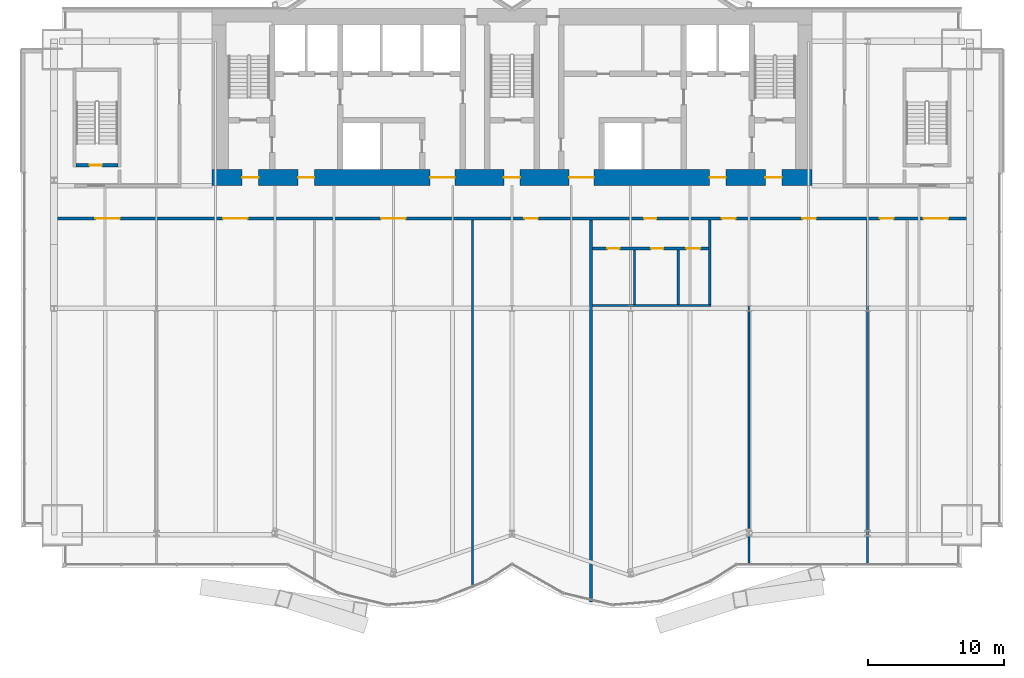
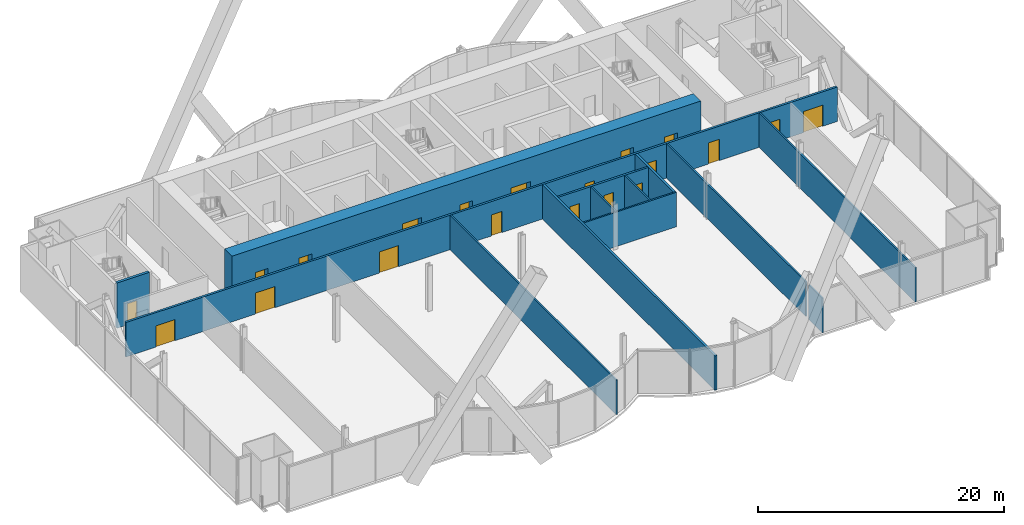
# One storey, part 17 of 23: 20 doors, 13 walls, 20 openings.
"""IFC4 building model written with IfcOpenShell, lengths in metres."""

from ifc_helpers import new_model, si_unit, direction, frame, frame_2d, origin, place, context, subcontext, project, spatial, rectangle, extrude, material, layer, layer_set, type_object, element, fill, save


model = new_model("IFC4")

# Units and contexts
model_context = context("Model", 3, precision=1e-05, world=origin(), true_north=direction((0.0, 1.0)))
body_context = subcontext(model_context, "Body", "Model", "MODEL_VIEW")
ifc_project = project(units=[si_unit("LENGTHUNIT", "METRE"), si_unit("AREAUNIT", "SQUARE_METRE"), si_unit("VOLUMEUNIT", "CUBIC_METRE"), si_unit("PLANEANGLEUNIT", "RADIAN"), si_unit("MASSUNIT", "GRAM", prefix="KILO")], contexts=[model_context])

# Site, building, storey
site_placement = place(None, origin())
site = spatial("IfcSite", under=ifc_project, at=site_placement, CompositionType="ELEMENT")
building_placement = place(site_placement, origin())
building = spatial("IfcBuilding", under=site, at=building_placement, Name="Bicima Exchange Tower", CompositionType="ELEMENT")
storey_placement = place(building_placement, frame((0.0, 0.0, 53.0)))
storey = spatial("IfcBuildingStorey", under=building, at=storey_placement, Name="L10", CompositionType="ELEMENT", Elevation=53.0)

# Wall, openings, doors
ifc_material_1 = material(Name="Gypsum board partition")
ifc_layer_1 = layer(ifc_material_1, 0.199951171875)
ifc_layer_set_1 = layer_set([ifc_layer_1], Name="Gypsum board partition")
wall_type_1 = type_object("IfcWallType", Name="Fire-rated gypsum partition 200 EI60", PredefinedType="PARTITIONING", material=ifc_layer_set_1)
wall_1_placement = place(storey_placement, frame((5.89990234375, -17.60009765625, 0.0), z_axis=(0.0, 0.0, 1.0), x_axis=(1.0, 0.0, 0.0)))
wall_1 = element("IfcWall", 1, at=wall_1_placement, inside=storey, type_object=wall_type_1, Name="partition wall 2", PredefinedType="PARTITIONING", context=body_context, shape_type="SweptSolid", body=[
    extrude(rectangle(XDim=8.5, YDim=0.199951171875, at=frame_2d((4.25, 0.0))), origin(), (0.0, 0.0, 1.0), 3.418212890625),
])
opening_1_placement = place(wall_1_placement, frame((1.10009765625, 0.0, 0.0)))
opening_1 = element("IfcOpeningElement", 2, at=opening_1_placement, cuts=wall_1, Name="Opening L10-012", PredefinedType="OPENING", context=body_context, shape_type="SweptSolid", body=[
    extrude(rectangle(XDim=0.89990234375, YDim=2.10009765625, at=frame_2d((0.449951171875, 1.050048828125))), frame((0.0, 0.11181640625, 0.0), z_axis=(0.0, -1.0, 0.0), x_axis=(1.0, 0.0, 0.0)), (0.0, 0.0, 1.0), 0.223876953125),
])
opening_2_placement = place(wall_1_placement, frame((4.300048828125, 0.0, 0.0)))
opening_2 = element("IfcOpeningElement", 3, at=opening_2_placement, cuts=wall_1, Name="Opening L10-013", PredefinedType="OPENING", context=body_context, shape_type="SweptSolid", body=[
    extrude(rectangle(XDim=0.89990234375, YDim=2.10009765625, at=frame_2d((0.449951171875, 1.050048828125))), frame((0.0, 0.11181640625, 0.0), z_axis=(0.0, -1.0, 0.0), x_axis=(1.0, 0.0, 0.0)), (0.0, 0.0, 1.0), 0.223876953125),
])
opening_3_placement = place(wall_1_placement, frame((6.89990234375, 0.0, 0.0)))
opening_3 = element("IfcOpeningElement", 4, at=opening_3_placement, cuts=wall_1, Name="Opening L10-014", PredefinedType="OPENING", context=body_context, shape_type="SweptSolid", body=[
    extrude(rectangle(XDim=1.0, YDim=2.10009765625, at=frame_2d((0.5, 1.050048828125))), frame((0.0, 0.11181640625, 0.0), z_axis=(0.0, -1.0, 0.0), x_axis=(1.0, 0.0, 0.0)), (0.0, 0.0, 1.0), 0.223876953125),
])
ifc_material_2 = material(Name="Steel fire door leaf", Category="steel")
door_type_1 = type_object("IfcDoorType", Name="Door 1000 swing FD30S", OperationType="SINGLE_SWING_LEFT", PredefinedType="DOOR", material=ifc_material_2)
door_1_placement = place(opening_3_placement, frame((1.0, 0.0, 0.0), z_axis=(0.0, 0.0, 1.0), x_axis=(-1.0, 0.0, 0.0)))
door_1 = element("IfcDoor", 5, at=door_1_placement, inside=storey, type_object=door_type_1, Name="Door", OperationType="SINGLE_SWING_RIGHT", OverallHeight=2.10009765625, OverallWidth=1.0, PredefinedType="DOOR", context=body_context, shape_type="SweptSolid", body=[
    extrude(rectangle(XDim=1.0, YDim=2.10009765625, at=frame_2d((0.5, 1.050048828125))), frame((0.0, 0.02490234375, 0.0), z_axis=(0.0, -1.0, 0.0), x_axis=(1.0, 0.0, 0.0)), (0.0, 0.0, 1.0), 0.050048828125),
])
fill(opening_3, door_1)
door_type_2 = type_object("IfcDoorType", Name="Door 900 swing FD30S", OperationType="SINGLE_SWING_LEFT", PredefinedType="DOOR", material=ifc_material_2)
door_2_placement = place(opening_1_placement, frame((0.89990234375, 0.0, 0.0), z_axis=(0.0, 0.0, 1.0), x_axis=(-1.0, 0.0, 0.0)))
door_2 = element("IfcDoor", 6, at=door_2_placement, inside=storey, type_object=door_type_2, Name="Door", OperationType="SINGLE_SWING_RIGHT", OverallHeight=2.10009765625, OverallWidth=0.89990234375, PredefinedType="DOOR", context=body_context, shape_type="SweptSolid", body=[
    extrude(rectangle(XDim=0.89990234375, YDim=2.10009765625, at=frame_2d((0.449951171875, 1.050048828125))), frame((0.0, 0.02490234375, 0.0), z_axis=(0.0, -1.0, 0.0), x_axis=(1.0, 0.0, 0.0)), (0.0, 0.0, 1.0), 0.050048828125),
])
fill(opening_1, door_2)
door_3_placement = place(opening_2_placement, frame((0.89990234375, 0.0, 0.0), z_axis=(0.0, 0.0, 1.0), x_axis=(-1.0, 0.0, 0.0)))
door_3 = element("IfcDoor", 7, at=door_3_placement, inside=storey, type_object=door_type_2, Name="Door", OperationType="SINGLE_SWING_LEFT", OverallHeight=2.10009765625, OverallWidth=0.89990234375, PredefinedType="DOOR", context=body_context, shape_type="SweptSolid", body=[
    extrude(rectangle(XDim=0.89990234375, YDim=2.10009765625, at=frame_2d((0.449951171875, 1.050048828125))), frame((0.0, 0.02490234375, 0.0), z_axis=(0.0, -1.0, 0.0), x_axis=(1.0, 0.0, 0.0)), (0.0, 0.0, 1.0), 0.050048828125),
])
fill(opening_2, door_3)

wall_2_placement = place(storey_placement, frame((-33.3701171875, -15.39990234375, 0.0), z_axis=(0.0, 0.0, 1.0), x_axis=(1.0, 0.0, 0.0)))
wall_2 = element("IfcWall", 8, at=wall_2_placement, inside=storey, type_object=wall_type_1, Name="partition wall 3", PredefinedType="PARTITIONING", context=body_context, shape_type="SweptSolid", body=[
    extrude(rectangle(XDim=66.740234375, YDim=0.199951171875, at=frame_2d((33.3701171875, 0.0))), origin(), (0.0, 0.0, 1.0), 3.418212890625),
])
opening_4_placement = place(wall_2_placement, frame((2.800048828125, 0.0, 0.0)))
opening_4 = element("IfcOpeningElement", 9, at=opening_4_placement, cuts=wall_2, Name="Opening L10-007", PredefinedType="OPENING", context=body_context, shape_type="SweptSolid", body=[
    extrude(rectangle(XDim=1.800048828125, YDim=2.10009765625, at=frame_2d((0.89990234375, 1.050048828125))), frame((0.0, 0.11181640625, 0.0), z_axis=(0.0, -1.0, 0.0), x_axis=(1.0, 0.0, 0.0)), (0.0, 0.0, 1.0), 0.223876953125),
])
opening_5_placement = place(wall_2_placement, frame((12.169921875, 0.0, 0.0)))
opening_5 = element("IfcOpeningElement", 10, at=opening_5_placement, cuts=wall_2, Name="Opening L10-008", PredefinedType="OPENING", context=body_context, shape_type="SweptSolid", body=[
    extrude(rectangle(XDim=1.800048828125, YDim=2.10009765625, at=frame_2d((0.89990234375, 1.050048828125))), frame((0.0, 0.11181640625, 0.0), z_axis=(0.0, -1.0, 0.0), x_axis=(1.0, 0.0, 0.0)), (0.0, 0.0, 1.0), 0.223876953125),
])
opening_6_placement = place(wall_2_placement, frame((23.77001953125, 0.0, 0.0)))
opening_6 = element("IfcOpeningElement", 11, at=opening_6_placement, cuts=wall_2, Name="Opening L10-009", PredefinedType="OPENING", context=body_context, shape_type="SweptSolid", body=[
    extrude(rectangle(XDim=1.800048828125, YDim=2.10009765625, at=frame_2d((0.89990234375, 1.050048828125))), frame((0.0, 0.11181640625, 0.0), z_axis=(0.0, -1.0, 0.0), x_axis=(1.0, 0.0, 0.0)), (0.0, 0.0, 1.0), 0.223876953125),
])
opening_7_placement = place(wall_2_placement, frame((34.27001953125, 0.0, 0.0)))
opening_7 = element("IfcOpeningElement", 12, at=opening_7_placement, cuts=wall_2, Name="Opening L10-010", PredefinedType="OPENING", context=body_context, shape_type="SweptSolid", body=[
    extrude(rectangle(XDim=1.0, YDim=2.10009765625, at=frame_2d((0.5, 1.050048828125))), frame((0.0, 0.11181640625, 0.0), z_axis=(0.0, -1.0, 0.0), x_axis=(1.0, 0.0, 0.0)), (0.0, 0.0, 1.0), 0.223876953125),
])
opening_8_placement = place(wall_2_placement, frame((43.070068359375, 0.0, 0.0)))
opening_8 = element("IfcOpeningElement", 13, at=opening_8_placement, cuts=wall_2, Name="Opening L10-011", PredefinedType="OPENING", context=body_context, shape_type="SweptSolid", body=[
    extrude(rectangle(XDim=0.89990234375, YDim=2.10009765625, at=frame_2d((0.449951171875, 1.050048828125))), frame((0.0, 0.11181640625, 0.0), z_axis=(0.0, -1.0, 0.0), x_axis=(1.0, 0.0, 0.0)), (0.0, 0.0, 1.0), 0.223876953125),
])
opening_9_placement = place(wall_2_placement, frame((48.77001953125, 0.0, 0.0)))
opening_9 = element("IfcOpeningElement", 14, at=opening_9_placement, cuts=wall_2, Name="Opening L10-015", PredefinedType="OPENING", context=body_context, shape_type="SweptSolid", body=[
    extrude(rectangle(XDim=1.0, YDim=2.10009765625, at=frame_2d((0.5, 1.050048828125))), frame((0.0, 0.11181640625, 0.0), z_axis=(0.0, -1.0, 0.0), x_axis=(1.0, 0.0, 0.0)), (0.0, 0.0, 1.0), 0.223876953125),
])
opening_10_placement = place(wall_2_placement, frame((54.669921875, 0.0, 0.0)))
opening_10 = element("IfcOpeningElement", 15, at=opening_10_placement, cuts=wall_2, Name="Opening L10-016", PredefinedType="OPENING", context=body_context, shape_type="SweptSolid", body=[
    extrude(rectangle(XDim=1.0, YDim=2.10009765625, at=frame_2d((0.5, 1.050048828125))), frame((0.0, 0.11181640625, 0.0), z_axis=(0.0, -1.0, 0.0), x_axis=(1.0, 0.0, 0.0)), (0.0, 0.0, 1.0), 0.223876953125),
])
opening_11_placement = place(wall_2_placement, frame((60.3701171875, 0.0, 0.0)))
opening_11 = element("IfcOpeningElement", 16, at=opening_11_placement, cuts=wall_2, Name="Opening L10-017", PredefinedType="OPENING", context=body_context, shape_type="SweptSolid", body=[
    extrude(rectangle(XDim=1.0, YDim=2.10009765625, at=frame_2d((0.5, 1.050048828125))), frame((0.0, 0.11181640625, 0.0), z_axis=(0.0, -1.0, 0.0), x_axis=(1.0, 0.0, 0.0)), (0.0, 0.0, 1.0), 0.223876953125),
])
opening_12_placement = place(wall_2_placement, frame((63.570068359375, 0.0, 0.0)))
opening_12 = element("IfcOpeningElement", 17, at=opening_12_placement, cuts=wall_2, Name="Opening L10-018", PredefinedType="OPENING", context=body_context, shape_type="SweptSolid", body=[
    extrude(rectangle(XDim=1.800048828125, YDim=2.10009765625, at=frame_2d((0.89990234375, 1.050048828125))), frame((0.0, 0.11181640625, 0.0), z_axis=(0.0, -1.0, 0.0), x_axis=(1.0, 0.0, 0.0)), (0.0, 0.0, 1.0), 0.223876953125),
])
door_4_placement = place(opening_7_placement, frame((1.0, 0.0, 0.0), z_axis=(0.0, 0.0, 1.0), x_axis=(-1.0, 0.0, 0.0)))
door_4 = element("IfcDoor", 18, at=door_4_placement, inside=storey, type_object=door_type_1, Name="Door", OperationType="SINGLE_SWING_LEFT", OverallHeight=2.10009765625, OverallWidth=1.0, PredefinedType="DOOR", context=body_context, shape_type="SweptSolid", body=[
    extrude(rectangle(XDim=1.0, YDim=2.10009765625, at=frame_2d((0.5, 1.050048828125))), frame((0.0, 0.02490234375, 0.0), z_axis=(0.0, -1.0, 0.0), x_axis=(1.0, 0.0, 0.0)), (0.0, 0.0, 1.0), 0.050048828125),
])
fill(opening_7, door_4)
door_5_placement = place(opening_9_placement, frame((1.0, 0.0, 0.0), z_axis=(0.0, 0.0, 1.0), x_axis=(-1.0, 0.0, 0.0)))
door_5 = element("IfcDoor", 19, at=door_5_placement, inside=storey, type_object=door_type_1, Name="Door", OperationType="SINGLE_SWING_RIGHT", OverallHeight=2.10009765625, OverallWidth=1.0, PredefinedType="DOOR", context=body_context, shape_type="SweptSolid", body=[
    extrude(rectangle(XDim=1.0, YDim=2.10009765625, at=frame_2d((0.5, 1.050048828125))), frame((0.0, 0.02490234375, 0.0), z_axis=(0.0, -1.0, 0.0), x_axis=(1.0, 0.0, 0.0)), (0.0, 0.0, 1.0), 0.050048828125),
])
fill(opening_9, door_5)
door_6_placement = place(opening_10_placement, frame((1.0, 0.0, 0.0), z_axis=(0.0, 0.0, 1.0), x_axis=(-1.0, 0.0, 0.0)))
door_6 = element("IfcDoor", 20, at=door_6_placement, inside=storey, type_object=door_type_1, Name="Door", OperationType="SINGLE_SWING_LEFT", OverallHeight=2.10009765625, OverallWidth=1.0, PredefinedType="DOOR", context=body_context, shape_type="SweptSolid", body=[
    extrude(rectangle(XDim=1.0, YDim=2.10009765625, at=frame_2d((0.5, 1.050048828125))), frame((0.0, 0.02490234375, 0.0), z_axis=(0.0, -1.0, 0.0), x_axis=(1.0, 0.0, 0.0)), (0.0, 0.0, 1.0), 0.050048828125),
])
fill(opening_10, door_6)
door_7_placement = place(opening_11_placement, frame((1.0, 0.0, 0.0), z_axis=(0.0, 0.0, 1.0), x_axis=(-1.0, 0.0, 0.0)))
door_7 = element("IfcDoor", 21, at=door_7_placement, inside=storey, type_object=door_type_1, Name="Door", OperationType="SINGLE_SWING_RIGHT", OverallHeight=2.10009765625, OverallWidth=1.0, PredefinedType="DOOR", context=body_context, shape_type="SweptSolid", body=[
    extrude(rectangle(XDim=1.0, YDim=2.10009765625, at=frame_2d((0.5, 1.050048828125))), frame((0.0, 0.02490234375, 0.0), z_axis=(0.0, -1.0, 0.0), x_axis=(1.0, 0.0, 0.0)), (0.0, 0.0, 1.0), 0.050048828125),
])
fill(opening_11, door_7)
door_type_3 = type_object("IfcDoorType", Name="Door 1800 double swing FD30S", OperationType="DOUBLE_DOOR_SINGLE_SWING", PredefinedType="DOOR", material=ifc_material_2)
door_8_placement = place(opening_4_placement, origin())
door_8 = element("IfcDoor", 22, at=door_8_placement, inside=storey, type_object=door_type_3, Name="Door", OperationType="SINGLE_SWING_LEFT", OverallHeight=2.10009765625, OverallWidth=1.800048828125, PredefinedType="DOOR", context=body_context, shape_type="SweptSolid", body=[
    extrude(rectangle(XDim=1.800048828125, YDim=2.10009765625, at=frame_2d((0.89990234375, 1.050048828125))), frame((0.0, 0.02490234375, 0.0), z_axis=(0.0, -1.0, 0.0), x_axis=(1.0, 0.0, 0.0)), (0.0, 0.0, 1.0), 0.050048828125),
])
fill(opening_4, door_8)
door_9_placement = place(opening_5_placement, origin())
door_9 = element("IfcDoor", 23, at=door_9_placement, inside=storey, type_object=door_type_3, Name="Door", OperationType="SINGLE_SWING_LEFT", OverallHeight=2.10009765625, OverallWidth=1.800048828125, PredefinedType="DOOR", context=body_context, shape_type="SweptSolid", body=[
    extrude(rectangle(XDim=1.800048828125, YDim=2.10009765625, at=frame_2d((0.89990234375, 1.050048828125))), frame((0.0, 0.02490234375, 0.0), z_axis=(0.0, -1.0, 0.0), x_axis=(1.0, 0.0, 0.0)), (0.0, 0.0, 1.0), 0.050048828125),
])
fill(opening_5, door_9)
door_10_placement = place(opening_6_placement, origin())
door_10 = element("IfcDoor", 24, at=door_10_placement, inside=storey, type_object=door_type_3, Name="Door", OperationType="SINGLE_SWING_LEFT", OverallHeight=2.10009765625, OverallWidth=1.800048828125, PredefinedType="DOOR", context=body_context, shape_type="SweptSolid", body=[
    extrude(rectangle(XDim=1.800048828125, YDim=2.10009765625, at=frame_2d((0.89990234375, 1.050048828125))), frame((0.0, 0.02490234375, 0.0), z_axis=(0.0, -1.0, 0.0), x_axis=(1.0, 0.0, 0.0)), (0.0, 0.0, 1.0), 0.050048828125),
])
fill(opening_6, door_10)
door_11_placement = place(opening_12_placement, origin())
door_11 = element("IfcDoor", 25, at=door_11_placement, inside=storey, type_object=door_type_3, Name="Door", OperationType="SINGLE_SWING_LEFT", OverallHeight=2.10009765625, OverallWidth=1.800048828125, PredefinedType="DOOR", context=body_context, shape_type="SweptSolid", body=[
    extrude(rectangle(XDim=1.800048828125, YDim=2.10009765625, at=frame_2d((0.89990234375, 1.050048828125))), frame((0.0, 0.02490234375, 0.0), z_axis=(0.0, -1.0, 0.0), x_axis=(1.0, 0.0, 0.0)), (0.0, 0.0, 1.0), 0.050048828125),
])
fill(opening_12, door_11)
door_12_placement = place(opening_8_placement, frame((0.89990234375, 0.0, 0.0), z_axis=(0.0, 0.0, 1.0), x_axis=(-1.0, 0.0, 0.0)))
door_12 = element("IfcDoor", 26, at=door_12_placement, inside=storey, type_object=door_type_2, Name="Door", OperationType="SINGLE_SWING_RIGHT", OverallHeight=2.10009765625, OverallWidth=0.89990234375, PredefinedType="DOOR", context=body_context, shape_type="SweptSolid", body=[
    extrude(rectangle(XDim=0.89990234375, YDim=2.10009765625, at=frame_2d((0.449951171875, 1.050048828125))), frame((0.0, 0.02490234375, 0.0), z_axis=(0.0, -1.0, 0.0), x_axis=(1.0, 0.0, 0.0)), (0.0, 0.0, 1.0), 0.050048828125),
])
fill(opening_8, door_12)

# Walls
wall_3_placement = place(storey_placement, frame((5.800048828125, -43.530029296875, 0.0), z_axis=(0.0, 0.0, 1.0), x_axis=(0.0, 1.0, 0.0)))
element("IfcWall", 27, at=wall_3_placement, inside=storey, type_object=wall_type_1, Name="partition wall 19", PredefinedType="PARTITIONING", context=body_context, shape_type="SweptSolid", body=[
    extrude(rectangle(XDim=28.030029296875, YDim=0.199951171875, at=frame_2d((14.01513671875, 0.0))), origin(), (0.0, 0.0, 1.0), 3.418212890625),
])
wall_4_placement = place(storey_placement, frame((14.5, -21.72509765625, 0.0), z_axis=(0.0, 0.0, 1.0), x_axis=(0.0, 1.0, 0.0)))
element("IfcWall", 28, at=wall_4_placement, inside=storey, type_object=wall_type_1, Name="partition wall 22", PredefinedType="PARTITIONING", context=body_context, shape_type="SweptSolid", body=[
    extrude(rectangle(XDim=6.22509765625, YDim=0.199951171875, at=frame_2d((3.112548828125, 0.0))), origin(), (0.0, 0.0, 1.0), 3.418212890625),
])
ifc_layer_2 = layer(ifc_material_1, 0.14990234375)
ifc_layer_set_2 = layer_set([ifc_layer_2], Name="Gypsum board partition")
wall_type_2 = type_object("IfcWallType", Name="Gypsum partition 150", PredefinedType="PARTITIONING", material=ifc_layer_set_2)
wall_5_placement = place(storey_placement, frame((5.89990234375, -21.800048828125, 0.0), z_axis=(0.0, 0.0, 1.0), x_axis=(1.0, 0.0, 0.0)))
element("IfcWall", 29, at=wall_5_placement, inside=storey, type_object=wall_type_2, Name="partition wall 1", PredefinedType="PARTITIONING", context=body_context, shape_type="SweptSolid", body=[
    extrude(rectangle(XDim=8.7001953125, YDim=0.14990234375, at=frame_2d((4.35009765625, 0.0))), origin(), (0.0, 0.0, 1.0), 3.418212890625),
])
wall_6_placement = place(storey_placement, frame((-2.89990234375, -42.489990234375, 0.0), z_axis=(0.0, 0.0, 1.0), x_axis=(0.0, 1.0, 0.0)))
element("IfcWall", 30, at=wall_6_placement, inside=storey, type_object=wall_type_2, Name="partition wall 18", PredefinedType="PARTITIONING", context=body_context, shape_type="SweptSolid", body=[
    extrude(rectangle(XDim=26.989990234375, YDim=0.14990234375, at=frame_2d((13.4951171875, 0.0))), origin(), (0.0, 0.0, 1.0), 3.418212890625),
])
for number, where, z_axis, x_axis, name in (
    (31, (9.0, -21.72509765625, 0.0), (0.0, 0.0, 1.0), (0.0, 1.0, 0.0), "partition wall 20"),
    (32, (12.199951171875, -21.72509765625, 0.0), (0.0, 0.0, 1.0), (0.0, 1.0, 0.0), "partition wall 21"),
):
    element("IfcWall", number, at=place(storey_placement, frame(where, z_axis=z_axis, x_axis=x_axis)), inside=storey, type_object=wall_type_2, Name=name, PredefinedType="PARTITIONING", context=body_context, shape_type="SweptSolid", body=[
        extrude(rectangle(XDim=4.025146484375, YDim=0.14990234375, at=frame_2d((2.0126953125, 0.0))), origin(), (0.0, 0.0, 1.0), 3.418212890625),
    ])
wall_7_placement = place(storey_placement, frame((17.39990234375, -40.81005859375, 0.0), z_axis=(0.0, 0.0, 1.0), x_axis=(0.0, 1.0, 0.0)))
element("IfcWall", 33, at=wall_7_placement, inside=storey, type_object=wall_type_2, Name="partition wall 23", PredefinedType="PARTITIONING", context=body_context, shape_type="SweptSolid", body=[
    extrude(rectangle(XDim=2.186279296875, YDim=0.14990234375, at=frame_2d((1.09326171875, 0.0))), origin(), (0.0, 0.0, 1.0), 3.418212890625),
])
wall_8_placement = place(storey_placement, frame((17.39990234375, -38.135986328125, 0.0), z_axis=(0.0, 0.0, 1.0), x_axis=(0.0, 1.0, 0.0)))
element("IfcWall", 34, at=wall_8_placement, inside=storey, type_object=wall_type_2, Name="partition wall 24", PredefinedType="PARTITIONING", context=body_context, shape_type="SweptSolid", body=[
    extrude(rectangle(XDim=22.635986328125, YDim=0.14990234375, at=frame_2d((11.31787109375, 0.0))), origin(), (0.0, 0.0, 1.0), 3.418212890625),
])
wall_9_placement = place(storey_placement, frame((26.10009765625, -40.81005859375, 0.0), z_axis=(0.0, 0.0, 1.0), x_axis=(0.0, 1.0, 0.0)))
element("IfcWall", 35, at=wall_9_placement, inside=storey, type_object=wall_type_2, Name="partition wall 26", PredefinedType="PARTITIONING", context=body_context, shape_type="SweptSolid", body=[
    extrude(rectangle(XDim=25.31005859375, YDim=0.14990234375, at=frame_2d((12.655029296875, 0.0))), origin(), (0.0, 0.0, 1.0), 3.418212890625),
])

# Wall, openings, doors
ifc_material_3 = material(Name="Concrete C60/75", Category="concrete")
ifc_layer_3 = layer(ifc_material_3, 1.199951171875)
ifc_layer_set_3 = layer_set([ifc_layer_3], Name="Concrete C60/75")
wall_type_3 = type_object("IfcWallType", Name="RC core wall 1200 C60/75", PredefinedType="SHEAR", material=ifc_layer_set_3)
wall_10_placement = place(storey_placement, frame((-22.0, -12.39990234375, 0.0), z_axis=(0.0, 0.0, 1.0), x_axis=(1.0, 0.0, 0.0)))
wall_10 = element("IfcWall", 36, at=wall_10_placement, inside=storey, type_object=wall_type_3, Name="Core wall south", PredefinedType="SHEAR", context=body_context, shape_type="SweptSolid", body=[
    extrude(rectangle(XDim=44.0, YDim=1.199951171875, at=frame_2d((22.0, 0.0))), origin(), (0.0, 0.0, 1.0), 4.5),
])
opening_13_placement = place(wall_10_placement, frame((2.199951171875, 0.0, 0.0)))
opening_13 = element("IfcOpeningElement", 37, at=opening_13_placement, cuts=wall_10, Name="Opening L10-C18", PredefinedType="OPENING", context=body_context, shape_type="SweptSolid", body=[
    extrude(rectangle(XDim=1.199951171875, YDim=2.10009765625, at=frame_2d((0.60009765625, 1.050048828125))), frame((0.0, 0.61181640625, 0.0), z_axis=(0.0, -1.0, 0.0), x_axis=(1.0, 0.0, 0.0)), (0.0, 0.0, 1.0), 1.223876953125),
])
opening_14_placement = place(wall_10_placement, frame((21.39990234375, 0.0, 0.0)))
opening_14 = element("IfcOpeningElement", 38, at=opening_14_placement, cuts=wall_10, Name="Opening L10-C19", PredefinedType="OPENING", context=body_context, shape_type="SweptSolid", body=[
    extrude(rectangle(XDim=1.199951171875, YDim=2.10009765625, at=frame_2d((0.60009765625, 1.050048828125))), frame((0.0, 0.61181640625, 0.0), z_axis=(0.0, -1.0, 0.0), x_axis=(1.0, 0.0, 0.0)), (0.0, 0.0, 1.0), 1.223876953125),
])
opening_15_placement = place(wall_10_placement, frame((40.60009765625, 0.0, 0.0)))
opening_15 = element("IfcOpeningElement", 39, at=opening_15_placement, cuts=wall_10, Name="Opening L10-C20", PredefinedType="OPENING", context=body_context, shape_type="SweptSolid", body=[
    extrude(rectangle(XDim=1.199951171875, YDim=2.10009765625, at=frame_2d((0.60009765625, 1.050048828125))), frame((0.0, 0.61181640625, 0.0), z_axis=(0.0, -1.0, 0.0), x_axis=(1.0, 0.0, 0.0)), (0.0, 0.0, 1.0), 1.223876953125),
])
opening_16_placement = place(wall_10_placement, frame((16.0, 0.0, 0.0)))
opening_16 = element("IfcOpeningElement", 40, at=opening_16_placement, cuts=wall_10, Name="Opening L10-C21", PredefinedType="OPENING", context=body_context, shape_type="SweptSolid", body=[
    extrude(rectangle(XDim=1.800048828125, YDim=2.10009765625, at=frame_2d((0.89990234375, 1.050048828125))), frame((0.0, 0.61181640625, 0.0), z_axis=(0.0, -1.0, 0.0), x_axis=(1.0, 0.0, 0.0)), (0.0, 0.0, 1.0), 1.223876953125),
])
opening_17_placement = place(wall_10_placement, frame((6.300048828125, 0.0, 0.0)))
opening_17 = element("IfcOpeningElement", 41, at=opening_17_placement, cuts=wall_10, Name="Opening L10-C22", PredefinedType="OPENING", context=body_context, shape_type="SweptSolid", body=[
    extrude(rectangle(XDim=1.199951171875, YDim=2.10009765625, at=frame_2d((0.60009765625, 1.050048828125))), frame((0.0, 0.61181640625, 0.0), z_axis=(0.0, -1.0, 0.0), x_axis=(1.0, 0.0, 0.0)), (0.0, 0.0, 1.0), 1.223876953125),
])
opening_18_placement = place(wall_10_placement, frame((26.199951171875, 0.0, 0.0)))
opening_18 = element("IfcOpeningElement", 42, at=opening_18_placement, cuts=wall_10, Name="Opening L10-C23", PredefinedType="OPENING", context=body_context, shape_type="SweptSolid", body=[
    extrude(rectangle(XDim=1.800048828125, YDim=2.10009765625, at=frame_2d((0.89990234375, 1.050048828125))), frame((0.0, 0.61181640625, 0.0), z_axis=(0.0, -1.0, 0.0), x_axis=(1.0, 0.0, 0.0)), (0.0, 0.0, 1.0), 1.223876953125),
])
opening_19_placement = place(wall_10_placement, frame((36.5, 0.0, 0.0)))
opening_19 = element("IfcOpeningElement", 43, at=opening_19_placement, cuts=wall_10, Name="Opening L10-C24", PredefinedType="OPENING", context=body_context, shape_type="SweptSolid", body=[
    extrude(rectangle(XDim=1.199951171875, YDim=2.10009765625, at=frame_2d((0.60009765625, 1.050048828125))), frame((0.0, 0.61181640625, 0.0), z_axis=(0.0, -1.0, 0.0), x_axis=(1.0, 0.0, 0.0)), (0.0, 0.0, 1.0), 1.223876953125),
])
door_type_4 = type_object("IfcDoorType", Name="Door 1200 swing FD60S", OperationType="SINGLE_SWING_LEFT", PredefinedType="DOOR", material=ifc_material_2)
door_13_placement = place(opening_13_placement, frame((1.199951171875, 0.0, 0.0), z_axis=(0.0, 0.0, 1.0), x_axis=(-1.0, 0.0, 0.0)))
door_13 = element("IfcDoor", 44, at=door_13_placement, inside=storey, type_object=door_type_4, Name="Core door", OperationType="SINGLE_SWING_RIGHT", OverallHeight=2.10009765625, OverallWidth=1.199951171875, PredefinedType="DOOR", context=body_context, shape_type="SweptSolid", body=[
    extrude(rectangle(XDim=1.199951171875, YDim=2.10009765625, at=frame_2d((0.60009765625, 1.050048828125))), frame((0.0, 0.02490234375, 0.0), z_axis=(0.0, -1.0, 0.0), x_axis=(1.0, 0.0, 0.0)), (0.0, 0.0, 1.0), 0.050048828125),
])
fill(opening_13, door_13)
door_14_placement = place(opening_14_placement, frame((1.199951171875, 0.0, 0.0), z_axis=(0.0, 0.0, 1.0), x_axis=(-1.0, 0.0, 0.0)))
door_14 = element("IfcDoor", 45, at=door_14_placement, inside=storey, type_object=door_type_4, Name="Core door", OperationType="SINGLE_SWING_RIGHT", OverallHeight=2.10009765625, OverallWidth=1.199951171875, PredefinedType="DOOR", context=body_context, shape_type="SweptSolid", body=[
    extrude(rectangle(XDim=1.199951171875, YDim=2.10009765625, at=frame_2d((0.60009765625, 1.050048828125))), frame((0.0, 0.02490234375, 0.0), z_axis=(0.0, -1.0, 0.0), x_axis=(1.0, 0.0, 0.0)), (0.0, 0.0, 1.0), 0.050048828125),
])
fill(opening_14, door_14)
door_15_placement = place(opening_15_placement, frame((1.199951171875, 0.0, 0.0), z_axis=(0.0, 0.0, 1.0), x_axis=(-1.0, 0.0, 0.0)))
door_15 = element("IfcDoor", 46, at=door_15_placement, inside=storey, type_object=door_type_4, Name="Core door", OperationType="SINGLE_SWING_RIGHT", OverallHeight=2.10009765625, OverallWidth=1.199951171875, PredefinedType="DOOR", context=body_context, shape_type="SweptSolid", body=[
    extrude(rectangle(XDim=1.199951171875, YDim=2.10009765625, at=frame_2d((0.60009765625, 1.050048828125))), frame((0.0, 0.02490234375, 0.0), z_axis=(0.0, -1.0, 0.0), x_axis=(1.0, 0.0, 0.0)), (0.0, 0.0, 1.0), 0.050048828125),
])
fill(opening_15, door_15)
door_16_placement = place(opening_17_placement, frame((1.199951171875, 0.0, 0.0), z_axis=(0.0, 0.0, 1.0), x_axis=(-1.0, 0.0, 0.0)))
door_16 = element("IfcDoor", 47, at=door_16_placement, inside=storey, type_object=door_type_4, Name="Core door", OperationType="SINGLE_SWING_RIGHT", OverallHeight=2.10009765625, OverallWidth=1.199951171875, PredefinedType="DOOR", context=body_context, shape_type="SweptSolid", body=[
    extrude(rectangle(XDim=1.199951171875, YDim=2.10009765625, at=frame_2d((0.60009765625, 1.050048828125))), frame((0.0, 0.02490234375, 0.0), z_axis=(0.0, -1.0, 0.0), x_axis=(1.0, 0.0, 0.0)), (0.0, 0.0, 1.0), 0.050048828125),
])
fill(opening_17, door_16)
door_17_placement = place(opening_19_placement, frame((1.199951171875, 0.0, 0.0), z_axis=(0.0, 0.0, 1.0), x_axis=(-1.0, 0.0, 0.0)))
door_17 = element("IfcDoor", 48, at=door_17_placement, inside=storey, type_object=door_type_4, Name="Core door", OperationType="SINGLE_SWING_RIGHT", OverallHeight=2.10009765625, OverallWidth=1.199951171875, PredefinedType="DOOR", context=body_context, shape_type="SweptSolid", body=[
    extrude(rectangle(XDim=1.199951171875, YDim=2.10009765625, at=frame_2d((0.60009765625, 1.050048828125))), frame((0.0, 0.02490234375, 0.0), z_axis=(0.0, -1.0, 0.0), x_axis=(1.0, 0.0, 0.0)), (0.0, 0.0, 1.0), 0.050048828125),
])
fill(opening_19, door_17)
door_18_placement = place(opening_16_placement, origin())
door_18 = element("IfcDoor", 49, at=door_18_placement, inside=storey, type_object=door_type_3, Name="Core door", OperationType="SINGLE_SWING_LEFT", OverallHeight=2.10009765625, OverallWidth=1.800048828125, PredefinedType="DOOR", context=body_context, shape_type="SweptSolid", body=[
    extrude(rectangle(XDim=1.800048828125, YDim=2.10009765625, at=frame_2d((0.89990234375, 1.050048828125))), frame((0.0, 0.02490234375, 0.0), z_axis=(0.0, -1.0, 0.0), x_axis=(1.0, 0.0, 0.0)), (0.0, 0.0, 1.0), 0.050048828125),
])
fill(opening_16, door_18)
door_19_placement = place(opening_18_placement, origin())
door_19 = element("IfcDoor", 50, at=door_19_placement, inside=storey, type_object=door_type_3, Name="Core door", OperationType="SINGLE_SWING_LEFT", OverallHeight=2.10009765625, OverallWidth=1.800048828125, PredefinedType="DOOR", context=body_context, shape_type="SweptSolid", body=[
    extrude(rectangle(XDim=1.800048828125, YDim=2.10009765625, at=frame_2d((0.89990234375, 1.050048828125))), frame((0.0, 0.02490234375, 0.0), z_axis=(0.0, -1.0, 0.0), x_axis=(1.0, 0.0, 0.0)), (0.0, 0.0, 1.0), 0.050048828125),
])
fill(opening_18, door_19)

# Wall, opening, door
ifc_material_4 = material(Name="Concrete C50/60", Category="concrete")
ifc_layer_4 = layer(ifc_material_4, 0.25)
ifc_layer_set_4 = layer_set([ifc_layer_4], Name="Concrete C50/60")
wall_type_4 = type_object("IfcWallType", Name="RC stair enclosure wall 250 C50/60", PredefinedType="SHEAR", material=ifc_layer_set_4)
wall_11_placement = place(storey_placement, frame((-31.97509765625, -11.5, 0.0), z_axis=(0.0, 0.0, 1.0), x_axis=(1.0, 0.0, 0.0)))
wall_11 = element("IfcWall", 51, at=wall_11_placement, inside=storey, type_object=wall_type_4, Name="West end exit stair wall S", PredefinedType="SHEAR", context=body_context, shape_type="SweptSolid", body=[
    extrude(rectangle(XDim=3.050048828125, YDim=0.25, at=frame_2d((1.52490234375, 0.0))), origin(), (0.0, 0.0, 1.0), 4.5),
])
opening_20_placement = place(wall_11_placement, frame((0.97509765625, 0.0, 0.0)))
opening_20 = element("IfcOpeningElement", 52, at=opening_20_placement, cuts=wall_11, Name="Opening L10-002", PredefinedType="OPENING", context=body_context, shape_type="SweptSolid", body=[
    extrude(rectangle(XDim=0.89990234375, YDim=2.10009765625, at=frame_2d((0.449951171875, 1.050048828125))), frame((0.0, 0.136962890625, 0.0), z_axis=(0.0, -1.0, 0.0), x_axis=(1.0, 0.0, 0.0)), (0.0, 0.0, 1.0), 0.27392578125),
])
door_type_5 = type_object("IfcDoorType", Name="Door 900 swing FD60S", OperationType="SINGLE_SWING_LEFT", PredefinedType="DOOR", material=ifc_material_2)
door_20_placement = place(opening_20_placement, origin())
door_20 = element("IfcDoor", 53, at=door_20_placement, inside=storey, type_object=door_type_5, Name="Door", OperationType="SINGLE_SWING_LEFT", OverallHeight=2.10009765625, OverallWidth=0.89990234375, PredefinedType="DOOR", context=body_context, shape_type="SweptSolid", body=[
    extrude(rectangle(XDim=0.89990234375, YDim=2.10009765625, at=frame_2d((0.449951171875, 1.050048828125))), frame((0.0, 0.02490234375, 0.0), z_axis=(0.0, -1.0, 0.0), x_axis=(1.0, 0.0, 0.0)), (0.0, 0.0, 1.0), 0.050048828125),
])
fill(opening_20, door_20)

save(model, "model.ifc")
